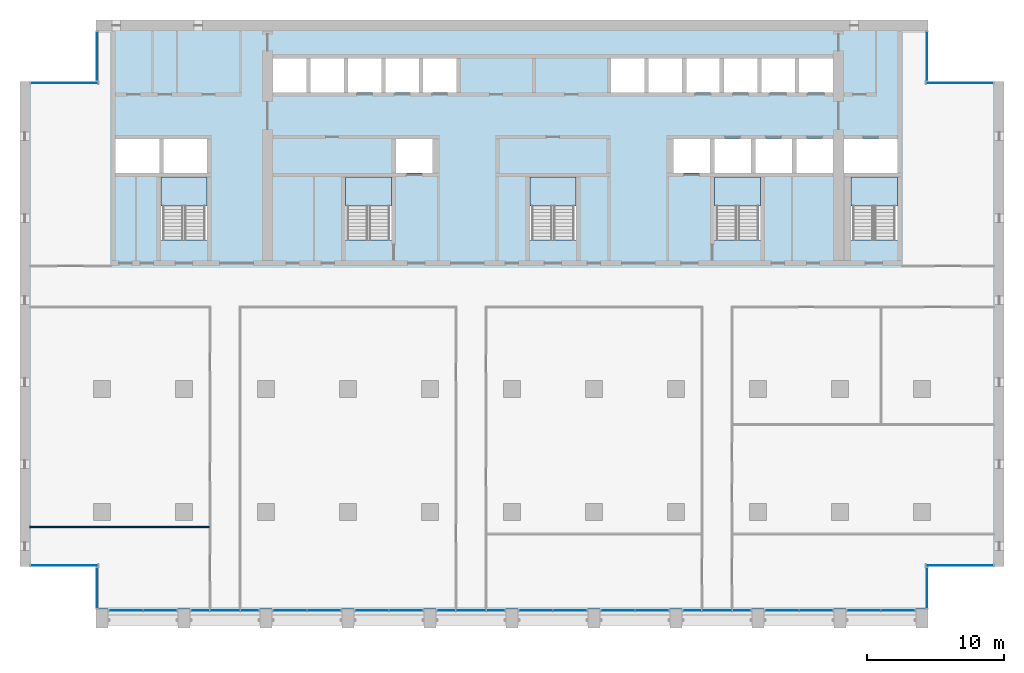
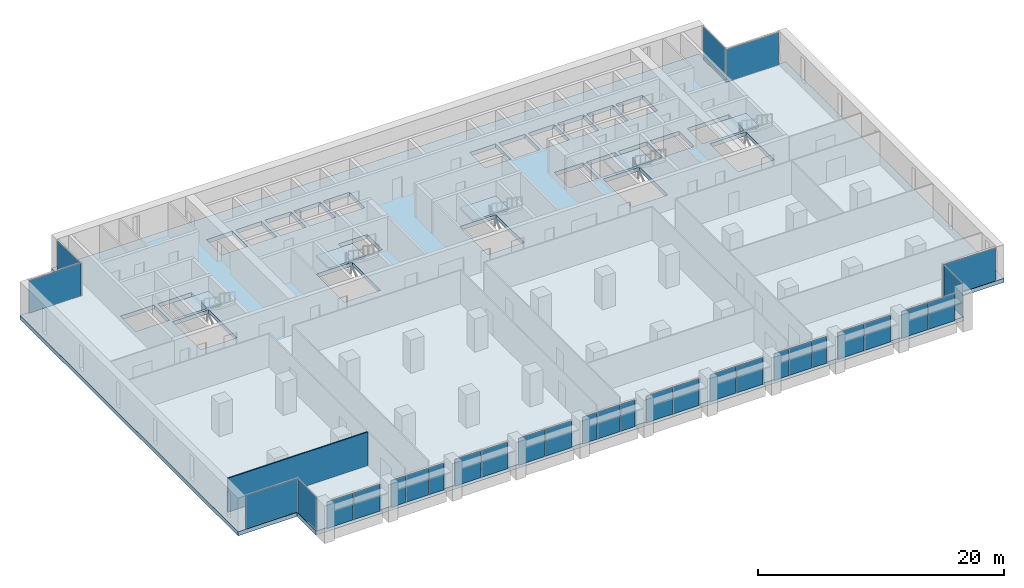
# One storey, part 7 of 16: 31 plates, 6 slabs, 1 wall, 23 elements without a shape of their own.
"""IFC4 building model written with IfcOpenShell, lengths in metres."""

from ifc_helpers import new_model, si_unit, direction, frame, frame_2d, origin, origin_2d, place, context, subcontext, project, spatial, polyline, rectangle, outline, extrude, material, layer, layer_set, type_object, element, aggregate, save


model = new_model("IFC4")

# Units and contexts
model_context = context("Model", 3, precision=1e-05, world=origin(), true_north=direction((0.0, 1.0)))
body_context = subcontext(model_context, "Body", "Model", "MODEL_VIEW")
ifc_project = project(units=[si_unit("LENGTHUNIT", "METRE"), si_unit("AREAUNIT", "SQUARE_METRE"), si_unit("VOLUMEUNIT", "CUBIC_METRE"), si_unit("PLANEANGLEUNIT", "RADIAN"), si_unit("MASSUNIT", "GRAM", prefix="KILO")], contexts=[model_context])

# Site, building, storey
site_placement = place(None, origin())
site = spatial("IfcSite", under=ifc_project, at=site_placement, CompositionType="ELEMENT")
building_placement = place(site_placement, origin())
building = spatial("IfcBuilding", under=site, at=building_placement, Name="Calvaro Tower", CompositionType="ELEMENT")
storey_placement = place(building_placement, frame((0.0, 0.0, 136.25)))
storey = spatial("IfcBuildingStorey", under=building, at=storey_placement, Name="L34", CompositionType="ELEMENT", Elevation=136.25)

# Slab
ifc_material_1 = material(Name="Concrete C40/50", Category="concrete")
ifc_layer_1 = layer(ifc_material_1, 0.39990234375)
ifc_layer_set_1 = layer_set([ifc_layer_1], Name="Concrete C40/50")
slab_type_1 = type_object("IfcSlabType", Name="Floor slab 400 C40/50", PredefinedType="FLOOR", material=ifc_layer_set_1)
slab_1_placement = place(storey_placement, frame((0.0, 0.0, -0.39990234375)))
element("IfcSlab", 1, at=slab_1_placement, inside=storey, type_object=slab_type_1, Name="Floor slab", PredefinedType="FLOOR", context=body_context, shape_type="SweptSolid", body=[
    extrude(outline(polyline([(66.449951171875, 6.0), (66.449951171875, 2.89990234375), (5.550048828125, 2.89990234375), (5.550048828125, 6.0), (0.0, 6.0), (0.0, 41.5), (5.550048828125, 41.5), (5.550048828125, 46.0), (66.449951171875, 46.0), (66.449951171875, 41.5), (72.0, 41.5), (72.0, 6.0), (66.449951171875, 6.0)]), holes=[polyline([(10.300048828125, 29.909912109375), (10.300048828125, 34.5), (12.0, 34.5), (13.699951171875, 34.5), (13.699951171875, 29.909912109375), (12.0, 29.909912109375), (10.300048828125, 29.909912109375)]), polyline([(23.800048828125, 29.909912109375), (23.800048828125, 34.5), (25.5, 34.5), (27.199951171875, 34.5), (27.199951171875, 29.909912109375), (25.5, 29.909912109375), (23.800048828125, 29.909912109375)]), polyline([(37.300048828125, 29.909912109375), (37.300048828125, 34.5), (39.0, 34.5), (40.699951171875, 34.5), (40.699951171875, 29.909912109375), (39.0, 29.909912109375), (37.300048828125, 29.909912109375)]), polyline([(50.800048828125, 29.909912109375), (50.800048828125, 34.5), (52.5, 34.5), (54.199951171875, 34.5), (54.199951171875, 29.909912109375), (52.5, 29.909912109375), (50.800048828125, 29.909912109375)]), polyline([(60.800048828125, 29.909912109375), (60.800048828125, 34.5), (62.5, 34.5), (64.199951171875, 34.5), (64.199951171875, 29.909912109375), (62.5, 29.909912109375), (60.800048828125, 29.909912109375)]), polyline([(50.800048828125, 34.800048828125), (53.5, 34.800048828125), (53.5, 37.300048828125), (50.800048828125, 37.300048828125), (50.800048828125, 34.800048828125)]), polyline([(53.800048828125, 34.800048828125), (56.5, 34.800048828125), (56.5, 37.300048828125), (53.800048828125, 37.300048828125), (53.800048828125, 34.800048828125)]), polyline([(56.800048828125, 34.800048828125), (59.5, 34.800048828125), (59.5, 37.300048828125), (56.800048828125, 37.300048828125), (56.800048828125, 34.800048828125)]), polyline([(18.5, 40.699951171875), (20.949951171875, 40.699951171875), (20.949951171875, 43.199951171875), (18.5, 43.199951171875), (18.5, 40.699951171875)]), polyline([(21.25, 40.699951171875), (23.699951171875, 40.699951171875), (23.699951171875, 43.199951171875), (21.25, 43.199951171875), (21.25, 40.699951171875)]), polyline([(24.0, 40.699951171875), (26.449951171875, 40.699951171875), (26.449951171875, 43.199951171875), (24.0, 43.199951171875), (24.0, 40.699951171875)]), polyline([(26.75, 40.699951171875), (29.199951171875, 40.699951171875), (29.199951171875, 43.199951171875), (26.75, 43.199951171875), (26.75, 40.699951171875)]), polyline([(29.5, 40.699951171875), (31.949951171875, 40.699951171875), (31.949951171875, 43.199951171875), (29.5, 43.199951171875), (29.5, 40.699951171875)]), polyline([(43.25, 40.699951171875), (45.699951171875, 40.699951171875), (45.699951171875, 43.199951171875), (43.25, 43.199951171875), (43.25, 40.699951171875)]), polyline([(46.0, 40.699951171875), (48.449951171875, 40.699951171875), (48.449951171875, 43.199951171875), (46.0, 43.199951171875), (46.0, 40.699951171875)]), polyline([(48.75, 40.699951171875), (51.199951171875, 40.699951171875), (51.199951171875, 43.199951171875), (48.75, 43.199951171875), (48.75, 40.699951171875)]), polyline([(51.5, 40.699951171875), (53.949951171875, 40.699951171875), (53.949951171875, 43.199951171875), (51.5, 43.199951171875), (51.5, 40.699951171875)]), polyline([(54.25, 40.699951171875), (56.699951171875, 40.699951171875), (56.699951171875, 43.199951171875), (54.25, 43.199951171875), (54.25, 40.699951171875)]), polyline([(57.0, 40.699951171875), (59.5, 40.699951171875), (59.5, 43.199951171875), (57.0, 43.199951171875), (57.0, 40.699951171875)]), polyline([(7.0, 34.800048828125), (10.199951171875, 34.800048828125), (10.199951171875, 37.300048828125), (7.0, 37.300048828125), (7.0, 34.800048828125)]), polyline([(10.5, 34.800048828125), (13.699951171875, 34.800048828125), (13.699951171875, 37.300048828125), (10.5, 37.300048828125), (10.5, 34.800048828125)]), polyline([(60.300048828125, 34.800048828125), (64.199951171875, 34.800048828125), (64.199951171875, 37.300048828125), (60.300048828125, 37.300048828125), (60.300048828125, 34.800048828125)]), polyline([(27.5, 34.800048828125), (30.199951171875, 34.800048828125), (30.199951171875, 37.300048828125), (27.5, 37.300048828125), (27.5, 34.800048828125)]), polyline([(47.800048828125, 34.800048828125), (50.5, 34.800048828125), (50.5, 37.300048828125), (47.800048828125, 37.300048828125), (47.800048828125, 34.800048828125)])]), origin(), (0.0, 0.0, 1.0), 0.39990234375),
])

# Curtain wall, plates
ifc_material_2 = material(Name="Anodised aluminium", Category="aluminium")
curtain_wall_type = type_object("IfcCurtainWallType", Name="Office curtain wall, middle zone", PredefinedType="NOTDEFINED", material=ifc_material_2)
curtain_wall_1_placement = place(storey_placement, origin())
curtain_wall_1 = element("IfcCurtainWall", 2, at=curtain_wall_1_placement, inside=storey, type_object=curtain_wall_type, Name="CW2 south curtain wall", PredefinedType="NOTDEFINED")
ifc_material_3 = material(Name="Glass", Category="glass")
ifc_layer_2 = layer(ifc_material_3, 0.031982421875)
ifc_layer_set_2 = layer_set([ifc_layer_2], Name="Glass")
plate_type = type_object("IfcPlateType", Name="Glass panel S2 32", PredefinedType="CURTAIN_PANEL", material=ifc_layer_set_2)
plate_1_placement = place(storey_placement, frame((7.742431640625, 2.800048828125, 0.0), z_axis=(0.0, 0.0, 1.0), x_axis=(1.0, 0.0, 0.0)))
plate_1 = element("IfcPlate", 3, at=plate_1_placement, type_object=plate_type, Name="CW2 glass panel 1.1", PredefinedType="CURTAIN_PANEL", context=body_context, shape_type="SweptSolid", body=[
    extrude(rectangle(XDim=2.445068359375, YDim=0.031982421875, at=origin_2d()), origin(), (0.0, 0.0, 1.0), 2.64990234375),
])
plate_2_placement = place(storey_placement, frame((10.257568359375, 2.800048828125, 0.0), z_axis=(0.0, 0.0, 1.0), x_axis=(1.0, 0.0, 0.0)))
plate_2 = element("IfcPlate", 4, at=plate_2_placement, type_object=plate_type, Name="CW2 glass panel 2.1", PredefinedType="CURTAIN_PANEL", context=body_context, shape_type="SweptSolid", body=[
    extrude(rectangle(XDim=2.445068359375, YDim=0.031982421875, at=origin_2d()), origin(), (0.0, 0.0, 1.0), 2.64990234375),
])
aggregate(curtain_wall_1, [plate_1, plate_2])

curtain_wall_2_placement = place(storey_placement, origin())
curtain_wall_2 = element("IfcCurtainWall", 5, at=curtain_wall_2_placement, inside=storey, type_object=curtain_wall_type, Name="CW2 south curtain wall", PredefinedType="NOTDEFINED")
plate_3_placement = place(storey_placement, frame((13.1923828125, 2.800048828125, 0.0), z_axis=(0.0, 0.0, 1.0), x_axis=(1.0, 0.0, 0.0)))
plate_3 = element("IfcPlate", 6, at=plate_3_placement, type_object=plate_type, Name="CW2 glass panel 1.1", PredefinedType="CURTAIN_PANEL", context=body_context, shape_type="SweptSolid", body=[
    extrude(rectangle(XDim=1.344970703125, YDim=0.031982421875, at=origin_2d()), origin(), (0.0, 0.0, 1.0), 2.64990234375),
])
plate_4_placement = place(storey_placement, frame((15.0, 2.800048828125, 0.0), z_axis=(0.0, 0.0, 1.0), x_axis=(1.0, 0.0, 0.0)))
plate_4 = element("IfcPlate", 7, at=plate_4_placement, type_object=plate_type, Name="CW2 glass panel 2.1", PredefinedType="CURTAIN_PANEL", context=body_context, shape_type="SweptSolid", body=[
    extrude(rectangle(XDim=2.1298828125, YDim=0.031982421875, at=origin_2d()), origin(), (0.0, 0.0, 1.0), 2.64990234375),
])
plate_5_placement = place(storey_placement, frame((16.8076171875, 2.800048828125, 0.0), z_axis=(0.0, 0.0, 1.0), x_axis=(1.0, 0.0, 0.0)))
plate_5 = element("IfcPlate", 8, at=plate_5_placement, type_object=plate_type, Name="CW2 glass panel 3.1", PredefinedType="CURTAIN_PANEL", context=body_context, shape_type="SweptSolid", body=[
    extrude(rectangle(XDim=1.344970703125, YDim=0.031982421875, at=origin_2d()), origin(), (0.0, 0.0, 1.0), 2.64990234375),
])
aggregate(curtain_wall_2, [plate_3, plate_4, plate_5])

curtain_wall_3_placement = place(storey_placement, origin())
curtain_wall_3 = element("IfcCurtainWall", 9, at=curtain_wall_3_placement, inside=storey, type_object=curtain_wall_type, Name="CW2 south curtain wall", PredefinedType="NOTDEFINED")
plate_6_placement = place(storey_placement, frame((19.742431640625, 2.800048828125, 0.0), z_axis=(0.0, 0.0, 1.0), x_axis=(1.0, 0.0, 0.0)))
plate_6 = element("IfcPlate", 10, at=plate_6_placement, type_object=plate_type, Name="CW2 glass panel 1.1", PredefinedType="CURTAIN_PANEL", context=body_context, shape_type="SweptSolid", body=[
    extrude(rectangle(XDim=2.445068359375, YDim=0.031982421875, at=origin_2d()), origin(), (0.0, 0.0, 1.0), 2.64990234375),
])
plate_7_placement = place(storey_placement, frame((22.257568359375, 2.800048828125, 0.0), z_axis=(0.0, 0.0, 1.0), x_axis=(1.0, 0.0, 0.0)))
plate_7 = element("IfcPlate", 11, at=plate_7_placement, type_object=plate_type, Name="CW2 glass panel 2.1", PredefinedType="CURTAIN_PANEL", context=body_context, shape_type="SweptSolid", body=[
    extrude(rectangle(XDim=2.445068359375, YDim=0.031982421875, at=origin_2d()), origin(), (0.0, 0.0, 1.0), 2.64990234375),
])
aggregate(curtain_wall_3, [plate_6, plate_7])

curtain_wall_4_placement = place(storey_placement, origin())
curtain_wall_4 = element("IfcCurtainWall", 12, at=curtain_wall_4_placement, inside=storey, type_object=curtain_wall_type, Name="CW2 south curtain wall", PredefinedType="NOTDEFINED")
plate_8_placement = place(storey_placement, frame((25.742431640625, 2.800048828125, 0.0), z_axis=(0.0, 0.0, 1.0), x_axis=(1.0, 0.0, 0.0)))
plate_8 = element("IfcPlate", 13, at=plate_8_placement, type_object=plate_type, Name="CW2 glass panel 1.1", PredefinedType="CURTAIN_PANEL", context=body_context, shape_type="SweptSolid", body=[
    extrude(rectangle(XDim=2.445068359375, YDim=0.031982421875, at=origin_2d()), origin(), (0.0, 0.0, 1.0), 2.64990234375),
])
plate_9_placement = place(storey_placement, frame((28.257568359375, 2.800048828125, 0.0), z_axis=(0.0, 0.0, 1.0), x_axis=(1.0, 0.0, 0.0)))
plate_9 = element("IfcPlate", 14, at=plate_9_placement, type_object=plate_type, Name="CW2 glass panel 2.1", PredefinedType="CURTAIN_PANEL", context=body_context, shape_type="SweptSolid", body=[
    extrude(rectangle(XDim=2.445068359375, YDim=0.031982421875, at=origin_2d()), origin(), (0.0, 0.0, 1.0), 2.64990234375),
])
aggregate(curtain_wall_4, [plate_8, plate_9])

curtain_wall_5_placement = place(storey_placement, origin())
curtain_wall_5 = element("IfcCurtainWall", 15, at=curtain_wall_5_placement, inside=storey, type_object=curtain_wall_type, Name="CW2 south curtain wall", PredefinedType="NOTDEFINED")
plate_10_placement = place(storey_placement, frame((31.1923828125, 2.800048828125, 0.0), z_axis=(0.0, 0.0, 1.0), x_axis=(1.0, 0.0, 0.0)))
plate_10 = element("IfcPlate", 16, at=plate_10_placement, type_object=plate_type, Name="CW2 glass panel 1.1", PredefinedType="CURTAIN_PANEL", context=body_context, shape_type="SweptSolid", body=[
    extrude(rectangle(XDim=1.344970703125, YDim=0.031982421875, at=origin_2d()), origin(), (0.0, 0.0, 1.0), 2.64990234375),
])
plate_11_placement = place(storey_placement, frame((33.0, 2.800048828125, 0.0), z_axis=(0.0, 0.0, 1.0), x_axis=(1.0, 0.0, 0.0)))
plate_11 = element("IfcPlate", 17, at=plate_11_placement, type_object=plate_type, Name="CW2 glass panel 2.1", PredefinedType="CURTAIN_PANEL", context=body_context, shape_type="SweptSolid", body=[
    extrude(rectangle(XDim=2.1298828125, YDim=0.031982421875, at=origin_2d()), origin(), (0.0, 0.0, 1.0), 2.64990234375),
])
plate_12_placement = place(storey_placement, frame((34.8076171875, 2.800048828125, 0.0), z_axis=(0.0, 0.0, 1.0), x_axis=(1.0, 0.0, 0.0)))
plate_12 = element("IfcPlate", 18, at=plate_12_placement, type_object=plate_type, Name="CW2 glass panel 3.1", PredefinedType="CURTAIN_PANEL", context=body_context, shape_type="SweptSolid", body=[
    extrude(rectangle(XDim=1.344970703125, YDim=0.031982421875, at=origin_2d()), origin(), (0.0, 0.0, 1.0), 2.64990234375),
])
aggregate(curtain_wall_5, [plate_10, plate_11, plate_12])

curtain_wall_6_placement = place(storey_placement, origin())
curtain_wall_6 = element("IfcCurtainWall", 19, at=curtain_wall_6_placement, inside=storey, type_object=curtain_wall_type, Name="CW2 south curtain wall", PredefinedType="NOTDEFINED")
plate_13_placement = place(storey_placement, frame((37.742431640625, 2.800048828125, 0.0), z_axis=(0.0, 0.0, 1.0), x_axis=(1.0, 0.0, 0.0)))
plate_13 = element("IfcPlate", 20, at=plate_13_placement, type_object=plate_type, Name="CW2 glass panel 1.1", PredefinedType="CURTAIN_PANEL", context=body_context, shape_type="SweptSolid", body=[
    extrude(rectangle(XDim=2.445068359375, YDim=0.031982421875, at=origin_2d()), origin(), (0.0, 0.0, 1.0), 2.64990234375),
])
plate_14_placement = place(storey_placement, frame((40.257568359375, 2.800048828125, 0.0), z_axis=(0.0, 0.0, 1.0), x_axis=(1.0, 0.0, 0.0)))
plate_14 = element("IfcPlate", 21, at=plate_14_placement, type_object=plate_type, Name="CW2 glass panel 2.1", PredefinedType="CURTAIN_PANEL", context=body_context, shape_type="SweptSolid", body=[
    extrude(rectangle(XDim=2.445068359375, YDim=0.031982421875, at=origin_2d()), origin(), (0.0, 0.0, 1.0), 2.64990234375),
])
aggregate(curtain_wall_6, [plate_13, plate_14])

curtain_wall_7_placement = place(storey_placement, origin())
curtain_wall_7 = element("IfcCurtainWall", 22, at=curtain_wall_7_placement, inside=storey, type_object=curtain_wall_type, Name="CW2 south curtain wall", PredefinedType="NOTDEFINED")
plate_15_placement = place(storey_placement, frame((43.742431640625, 2.800048828125, 0.0), z_axis=(0.0, 0.0, 1.0), x_axis=(1.0, 0.0, 0.0)))
plate_15 = element("IfcPlate", 23, at=plate_15_placement, type_object=plate_type, Name="CW2 glass panel 1.1", PredefinedType="CURTAIN_PANEL", context=body_context, shape_type="SweptSolid", body=[
    extrude(rectangle(XDim=2.445068359375, YDim=0.031982421875, at=origin_2d()), origin(), (0.0, 0.0, 1.0), 2.64990234375),
])
plate_16_placement = place(storey_placement, frame((46.257568359375, 2.800048828125, 0.0), z_axis=(0.0, 0.0, 1.0), x_axis=(1.0, 0.0, 0.0)))
plate_16 = element("IfcPlate", 24, at=plate_16_placement, type_object=plate_type, Name="CW2 glass panel 2.1", PredefinedType="CURTAIN_PANEL", context=body_context, shape_type="SweptSolid", body=[
    extrude(rectangle(XDim=2.445068359375, YDim=0.031982421875, at=origin_2d()), origin(), (0.0, 0.0, 1.0), 2.64990234375),
])
aggregate(curtain_wall_7, [plate_15, plate_16])

curtain_wall_8_placement = place(storey_placement, origin())
curtain_wall_8 = element("IfcCurtainWall", 25, at=curtain_wall_8_placement, inside=storey, type_object=curtain_wall_type, Name="CW2 south curtain wall", PredefinedType="NOTDEFINED")
plate_17_placement = place(storey_placement, frame((49.1923828125, 2.800048828125, 0.0), z_axis=(0.0, 0.0, 1.0), x_axis=(1.0, 0.0, 0.0)))
plate_17 = element("IfcPlate", 26, at=plate_17_placement, type_object=plate_type, Name="CW2 glass panel 1.1", PredefinedType="CURTAIN_PANEL", context=body_context, shape_type="SweptSolid", body=[
    extrude(rectangle(XDim=1.344970703125, YDim=0.031982421875, at=origin_2d()), origin(), (0.0, 0.0, 1.0), 2.64990234375),
])
plate_18_placement = place(storey_placement, frame((51.0, 2.800048828125, 0.0), z_axis=(0.0, 0.0, 1.0), x_axis=(1.0, 0.0, 0.0)))
plate_18 = element("IfcPlate", 27, at=plate_18_placement, type_object=plate_type, Name="CW2 glass panel 2.1", PredefinedType="CURTAIN_PANEL", context=body_context, shape_type="SweptSolid", body=[
    extrude(rectangle(XDim=2.1298828125, YDim=0.031982421875, at=origin_2d()), origin(), (0.0, 0.0, 1.0), 2.64990234375),
])
plate_19_placement = place(storey_placement, frame((52.8076171875, 2.800048828125, 0.0), z_axis=(0.0, 0.0, 1.0), x_axis=(1.0, 0.0, 0.0)))
plate_19 = element("IfcPlate", 28, at=plate_19_placement, type_object=plate_type, Name="CW2 glass panel 3.1", PredefinedType="CURTAIN_PANEL", context=body_context, shape_type="SweptSolid", body=[
    extrude(rectangle(XDim=1.344970703125, YDim=0.031982421875, at=origin_2d()), origin(), (0.0, 0.0, 1.0), 2.64990234375),
])
aggregate(curtain_wall_8, [plate_17, plate_18, plate_19])

curtain_wall_9_placement = place(storey_placement, origin())
curtain_wall_9 = element("IfcCurtainWall", 29, at=curtain_wall_9_placement, inside=storey, type_object=curtain_wall_type, Name="CW2 south curtain wall", PredefinedType="NOTDEFINED")
plate_20_placement = place(storey_placement, frame((55.742431640625, 2.800048828125, 0.0), z_axis=(0.0, 0.0, 1.0), x_axis=(1.0, 0.0, 0.0)))
plate_20 = element("IfcPlate", 30, at=plate_20_placement, type_object=plate_type, Name="CW2 glass panel 1.1", PredefinedType="CURTAIN_PANEL", context=body_context, shape_type="SweptSolid", body=[
    extrude(rectangle(XDim=2.445068359375, YDim=0.031982421875, at=origin_2d()), origin(), (0.0, 0.0, 1.0), 2.64990234375),
])
plate_21_placement = place(storey_placement, frame((58.257568359375, 2.800048828125, 0.0), z_axis=(0.0, 0.0, 1.0), x_axis=(1.0, 0.0, 0.0)))
plate_21 = element("IfcPlate", 31, at=plate_21_placement, type_object=plate_type, Name="CW2 glass panel 2.1", PredefinedType="CURTAIN_PANEL", context=body_context, shape_type="SweptSolid", body=[
    extrude(rectangle(XDim=2.445068359375, YDim=0.031982421875, at=origin_2d()), origin(), (0.0, 0.0, 1.0), 2.64990234375),
])
aggregate(curtain_wall_9, [plate_20, plate_21])

curtain_wall_10_placement = place(storey_placement, origin())
curtain_wall_10 = element("IfcCurtainWall", 32, at=curtain_wall_10_placement, inside=storey, type_object=curtain_wall_type, Name="CW2 south curtain wall", PredefinedType="NOTDEFINED")
plate_22_placement = place(storey_placement, frame((61.742431640625, 2.800048828125, 0.0), z_axis=(0.0, 0.0, 1.0), x_axis=(1.0, 0.0, 0.0)))
plate_22 = element("IfcPlate", 33, at=plate_22_placement, type_object=plate_type, Name="CW2 glass panel 1.1", PredefinedType="CURTAIN_PANEL", context=body_context, shape_type="SweptSolid", body=[
    extrude(rectangle(XDim=2.445068359375, YDim=0.031982421875, at=origin_2d()), origin(), (0.0, 0.0, 1.0), 2.64990234375),
])
plate_23_placement = place(storey_placement, frame((64.257568359375, 2.800048828125, 0.0), z_axis=(0.0, 0.0, 1.0), x_axis=(1.0, 0.0, 0.0)))
plate_23 = element("IfcPlate", 34, at=plate_23_placement, type_object=plate_type, Name="CW2 glass panel 2.1", PredefinedType="CURTAIN_PANEL", context=body_context, shape_type="SweptSolid", body=[
    extrude(rectangle(XDim=2.445068359375, YDim=0.031982421875, at=origin_2d()), origin(), (0.0, 0.0, 1.0), 2.64990234375),
])
aggregate(curtain_wall_10, [plate_22, plate_23])

# Curtain wall, plate
curtain_wall_11_placement = place(storey_placement, origin())
curtain_wall_11 = element("IfcCurtainWall", 35, at=curtain_wall_11_placement, inside=storey, type_object=curtain_wall_type, Name="CW2 corner curtain wall", PredefinedType="NOTDEFINED")
plate_24_placement = place(storey_placement, frame((5.64990234375, 4.449951171875, 0.0), z_axis=(0.0, 0.0, 1.0), x_axis=(0.0, 1.0, 0.0)))
plate_24 = element("IfcPlate", 36, at=plate_24_placement, type_object=plate_type, Name="CW2 glass panel 1.1", PredefinedType="CURTAIN_PANEL", context=body_context, shape_type="SweptSolid", body=[
    extrude(rectangle(XDim=2.9599609375, YDim=0.031982421875, at=origin_2d()), origin(), (0.0, 0.0, 1.0), 3.25),
])
aggregate(curtain_wall_11, [plate_24])

curtain_wall_12_placement = place(storey_placement, origin())
curtain_wall_12 = element("IfcCurtainWall", 37, at=curtain_wall_12_placement, inside=storey, type_object=curtain_wall_type, Name="CW2 corner curtain wall", PredefinedType="NOTDEFINED")
plate_25_placement = place(storey_placement, frame((3.22509765625, 6.10009765625, 0.0), z_axis=(0.0, 0.0, 1.0), x_axis=(1.0, 0.0, 0.0)))
plate_25 = element("IfcPlate", 38, at=plate_25_placement, type_object=plate_type, Name="CW2 glass panel 1.1", PredefinedType="CURTAIN_PANEL", context=body_context, shape_type="SweptSolid", body=[
    extrude(rectangle(XDim=4.909912109375, YDim=0.031982421875, at=origin_2d()), origin(), (0.0, 0.0, 1.0), 3.25),
])
aggregate(curtain_wall_12, [plate_25])

curtain_wall_13_placement = place(storey_placement, origin())
curtain_wall_13 = element("IfcCurtainWall", 39, at=curtain_wall_13_placement, inside=storey, type_object=curtain_wall_type, Name="CW2 corner curtain wall", PredefinedType="NOTDEFINED")
plate_26_placement = place(storey_placement, frame((5.64990234375, 43.35009765625, 0.0), z_axis=(0.0, 0.0, 1.0), x_axis=(0.0, 1.0, 0.0)))
plate_26 = element("IfcPlate", 40, at=plate_26_placement, type_object=plate_type, Name="CW2 glass panel 1.1", PredefinedType="CURTAIN_PANEL", context=body_context, shape_type="SweptSolid", body=[
    extrude(rectangle(XDim=3.56005859375, YDim=0.031982421875, at=origin_2d()), origin(), (0.0, 0.0, 1.0), 3.25),
])
aggregate(curtain_wall_13, [plate_26])

curtain_wall_14_placement = place(storey_placement, origin())
curtain_wall_14 = element("IfcCurtainWall", 41, at=curtain_wall_14_placement, inside=storey, type_object=curtain_wall_type, Name="CW2 corner curtain wall", PredefinedType="NOTDEFINED")
plate_27_placement = place(storey_placement, frame((3.22509765625, 41.39990234375, 0.0), z_axis=(0.0, 0.0, 1.0), x_axis=(1.0, 0.0, 0.0)))
plate_27 = element("IfcPlate", 42, at=plate_27_placement, type_object=plate_type, Name="CW2 glass panel 1.1", PredefinedType="CURTAIN_PANEL", context=body_context, shape_type="SweptSolid", body=[
    extrude(rectangle(XDim=4.909912109375, YDim=0.031982421875, at=origin_2d()), origin(), (0.0, 0.0, 1.0), 3.25),
])
aggregate(curtain_wall_14, [plate_27])

curtain_wall_15_placement = place(storey_placement, origin())
curtain_wall_15 = element("IfcCurtainWall", 43, at=curtain_wall_15_placement, inside=storey, type_object=curtain_wall_type, Name="CW2 corner curtain wall", PredefinedType="NOTDEFINED")
plate_28_placement = place(storey_placement, frame((66.35009765625, 4.449951171875, 0.0), z_axis=(0.0, 0.0, 1.0), x_axis=(0.0, 1.0, 0.0)))
plate_28 = element("IfcPlate", 44, at=plate_28_placement, type_object=plate_type, Name="CW2 glass panel 1.1", PredefinedType="CURTAIN_PANEL", context=body_context, shape_type="SweptSolid", body=[
    extrude(rectangle(XDim=2.9599609375, YDim=0.031982421875, at=origin_2d()), origin(), (0.0, 0.0, 1.0), 3.25),
])
aggregate(curtain_wall_15, [plate_28])

curtain_wall_16_placement = place(storey_placement, origin())
curtain_wall_16 = element("IfcCurtainWall", 45, at=curtain_wall_16_placement, inside=storey, type_object=curtain_wall_type, Name="CW2 corner curtain wall", PredefinedType="NOTDEFINED")
plate_29_placement = place(storey_placement, frame((68.77490234375, 6.10009765625, 0.0), z_axis=(0.0, 0.0, 1.0), x_axis=(1.0, 0.0, 0.0)))
plate_29 = element("IfcPlate", 46, at=plate_29_placement, type_object=plate_type, Name="CW2 glass panel 1.1", PredefinedType="CURTAIN_PANEL", context=body_context, shape_type="SweptSolid", body=[
    extrude(rectangle(XDim=4.909912109375, YDim=0.031982421875, at=origin_2d()), origin(), (0.0, 0.0, 1.0), 3.25),
])
aggregate(curtain_wall_16, [plate_29])

curtain_wall_17_placement = place(storey_placement, origin())
curtain_wall_17 = element("IfcCurtainWall", 47, at=curtain_wall_17_placement, inside=storey, type_object=curtain_wall_type, Name="CW2 corner curtain wall", PredefinedType="NOTDEFINED")
plate_30_placement = place(storey_placement, frame((66.35009765625, 43.35009765625, 0.0), z_axis=(0.0, 0.0, 1.0), x_axis=(0.0, 1.0, 0.0)))
plate_30 = element("IfcPlate", 48, at=plate_30_placement, type_object=plate_type, Name="CW2 glass panel 1.1", PredefinedType="CURTAIN_PANEL", context=body_context, shape_type="SweptSolid", body=[
    extrude(rectangle(XDim=3.56005859375, YDim=0.031982421875, at=origin_2d()), origin(), (0.0, 0.0, 1.0), 3.25),
])
aggregate(curtain_wall_17, [plate_30])

curtain_wall_18_placement = place(storey_placement, origin())
curtain_wall_18 = element("IfcCurtainWall", 49, at=curtain_wall_18_placement, inside=storey, type_object=curtain_wall_type, Name="CW2 corner curtain wall", PredefinedType="NOTDEFINED")
plate_31_placement = place(storey_placement, frame((68.77490234375, 41.39990234375, 0.0), z_axis=(0.0, 0.0, 1.0), x_axis=(1.0, 0.0, 0.0)))
plate_31 = element("IfcPlate", 50, at=plate_31_placement, type_object=plate_type, Name="CW2 glass panel 1.1", PredefinedType="CURTAIN_PANEL", context=body_context, shape_type="SweptSolid", body=[
    extrude(rectangle(XDim=4.909912109375, YDim=0.031982421875, at=origin_2d()), origin(), (0.0, 0.0, 1.0), 3.25),
])
aggregate(curtain_wall_18, [plate_31])

# Stair, slab
ifc_material_4 = material(Name="Concrete C40/50", Category="concrete")
stair_type = type_object("IfcStairType", Name="Exit stair 1400 2 flights", PredefinedType="HALF_TURN_STAIR", material=ifc_material_4)
stair_1_placement = place(storey_placement, origin())
stair_1 = element("IfcStair", 51, at=stair_1_placement, inside=storey, type_object=stair_type, Name="Exit stair S1", PredefinedType="HALF_TURN_STAIR")
ifc_material_5 = material(Name="Concrete C40/50", Category="concrete")
ifc_layer_3 = layer(ifc_material_5, 0.199951171875)
ifc_layer_set_3 = layer_set([ifc_layer_3], Name="Concrete C40/50")
slab_type_2 = type_object("IfcSlabType", Name="Stair landing", PredefinedType="LANDING", material=ifc_layer_set_3)
slab_2_placement = place(storey_placement, frame((0.0, 0.0, 1.675048828125)))
slab_2 = element("IfcSlab", 52, at=slab_2_placement, type_object=slab_type_2, Name="Exit stair 1, landing 1", PredefinedType="LANDING", context=body_context, shape_type="SweptSolid", body=[
    extrude(outline(polyline([(11.89990234375, 32.389892578125), (10.5, 32.389892578125), (10.5, 32.39990234375), (10.300048828125, 32.39990234375), (10.300048828125, 34.5), (10.5, 34.5), (11.89990234375, 34.5), (12.10009765625, 34.5), (13.5, 34.5), (13.699951171875, 34.5), (13.699951171875, 32.39990234375), (13.5, 32.39990234375), (13.5, 32.389892578125), (12.10009765625, 32.389892578125), (12.10009765625, 32.39990234375), (11.89990234375, 32.39990234375), (11.89990234375, 32.389892578125)])), origin(), (0.0, 0.0, 1.0), 0.199951171875),
])
aggregate(stair_1, [slab_2])

stair_2_placement = place(storey_placement, origin())
stair_2 = element("IfcStair", 53, at=stair_2_placement, inside=storey, type_object=stair_type, Name="Exit stair S2", PredefinedType="HALF_TURN_STAIR")
slab_3_placement = place(storey_placement, frame((0.0, 0.0, 1.675048828125)))
slab_3 = element("IfcSlab", 54, at=slab_3_placement, type_object=slab_type_2, Name="Exit stair 2, landing 1", PredefinedType="LANDING", context=body_context, shape_type="SweptSolid", body=[
    extrude(outline(polyline([(25.39990234375, 32.389892578125), (24.0, 32.389892578125), (24.0, 32.39990234375), (23.800048828125, 32.39990234375), (23.800048828125, 34.5), (24.0, 34.5), (25.39990234375, 34.5), (25.60009765625, 34.5), (27.0, 34.5), (27.199951171875, 34.5), (27.199951171875, 32.39990234375), (27.0, 32.39990234375), (27.0, 32.389892578125), (25.60009765625, 32.389892578125), (25.60009765625, 32.39990234375), (25.39990234375, 32.39990234375), (25.39990234375, 32.389892578125)])), origin(), (0.0, 0.0, 1.0), 0.199951171875),
])
aggregate(stair_2, [slab_3])

stair_3_placement = place(storey_placement, origin())
stair_3 = element("IfcStair", 55, at=stair_3_placement, inside=storey, type_object=stair_type, Name="Exit stair S3", PredefinedType="HALF_TURN_STAIR")
slab_4_placement = place(storey_placement, frame((0.0, 0.0, 1.675048828125)))
slab_4 = element("IfcSlab", 56, at=slab_4_placement, type_object=slab_type_2, Name="Exit stair 3, landing 1", PredefinedType="LANDING", context=body_context, shape_type="SweptSolid", body=[
    extrude(outline(polyline([(38.89990234375, 32.389892578125), (37.5, 32.389892578125), (37.5, 32.39990234375), (37.300048828125, 32.39990234375), (37.300048828125, 34.5), (37.5, 34.5), (38.89990234375, 34.5), (39.10009765625, 34.5), (40.5, 34.5), (40.699951171875, 34.5), (40.699951171875, 32.39990234375), (40.5, 32.39990234375), (40.5, 32.389892578125), (39.10009765625, 32.389892578125), (39.10009765625, 32.39990234375), (38.89990234375, 32.39990234375), (38.89990234375, 32.389892578125)])), origin(), (0.0, 0.0, 1.0), 0.199951171875),
])
aggregate(stair_3, [slab_4])

stair_4_placement = place(storey_placement, origin())
stair_4 = element("IfcStair", 57, at=stair_4_placement, inside=storey, type_object=stair_type, Name="Exit stair S4", PredefinedType="HALF_TURN_STAIR")
slab_5_placement = place(storey_placement, frame((0.0, 0.0, 1.675048828125)))
slab_5 = element("IfcSlab", 58, at=slab_5_placement, type_object=slab_type_2, Name="Exit stair 4, landing 1", PredefinedType="LANDING", context=body_context, shape_type="SweptSolid", body=[
    extrude(outline(polyline([(52.39990234375, 32.389892578125), (51.0, 32.389892578125), (51.0, 32.39990234375), (50.800048828125, 32.39990234375), (50.800048828125, 34.5), (51.0, 34.5), (52.39990234375, 34.5), (52.60009765625, 34.5), (54.0, 34.5), (54.199951171875, 34.5), (54.199951171875, 32.39990234375), (54.0, 32.39990234375), (54.0, 32.389892578125), (52.60009765625, 32.389892578125), (52.60009765625, 32.39990234375), (52.39990234375, 32.39990234375), (52.39990234375, 32.389892578125)])), origin(), (0.0, 0.0, 1.0), 0.199951171875),
])
aggregate(stair_4, [slab_5])

stair_5_placement = place(storey_placement, origin())
stair_5 = element("IfcStair", 59, at=stair_5_placement, inside=storey, type_object=stair_type, Name="Exit stair S5", PredefinedType="HALF_TURN_STAIR")
slab_6_placement = place(storey_placement, frame((0.0, 0.0, 1.675048828125)))
slab_6 = element("IfcSlab", 60, at=slab_6_placement, type_object=slab_type_2, Name="Exit stair 5, landing 1", PredefinedType="LANDING", context=body_context, shape_type="SweptSolid", body=[
    extrude(outline(polyline([(62.39990234375, 32.389892578125), (61.0, 32.389892578125), (61.0, 32.39990234375), (60.800048828125, 32.39990234375), (60.800048828125, 34.5), (61.0, 34.5), (62.39990234375, 34.5), (62.60009765625, 34.5), (64.0, 34.5), (64.199951171875, 34.5), (64.199951171875, 32.39990234375), (64.0, 32.39990234375), (64.0, 32.389892578125), (62.60009765625, 32.389892578125), (62.60009765625, 32.39990234375), (62.39990234375, 32.39990234375), (62.39990234375, 32.389892578125)])), origin(), (0.0, 0.0, 1.0), 0.199951171875),
])
aggregate(stair_5, [slab_6])

# Wall
ifc_material_6 = material(Name="Plasterboard on steel studs", Category="steel")
ifc_layer_4 = layer(ifc_material_6, 0.10009765625)
ifc_layer_set_4 = layer_set([ifc_layer_4], Name="Plasterboard on steel studs")
wall_type = type_object("IfcWallType", Name="Partition 100", PredefinedType="PARTITIONING", material=ifc_layer_set_4)
wall_placement = place(storey_placement, frame((0.699951171875, 8.89990234375, 0.0), z_axis=(0.0, 0.0, 1.0), x_axis=(1.0, 0.0, 0.0)))
element("IfcWall", 61, at=wall_placement, inside=storey, type_object=wall_type, Name="Partition T21.W003", PredefinedType="PARTITIONING", context=body_context, shape_type="SweptSolid", body=[
    extrude(rectangle(XDim=13.150146484375, YDim=0.10009765625, at=frame_2d((6.5751953125, 0.0))), origin(), (0.0, 0.0, 1.0), 3.35009765625),
])

save(model, "model.ifc")
